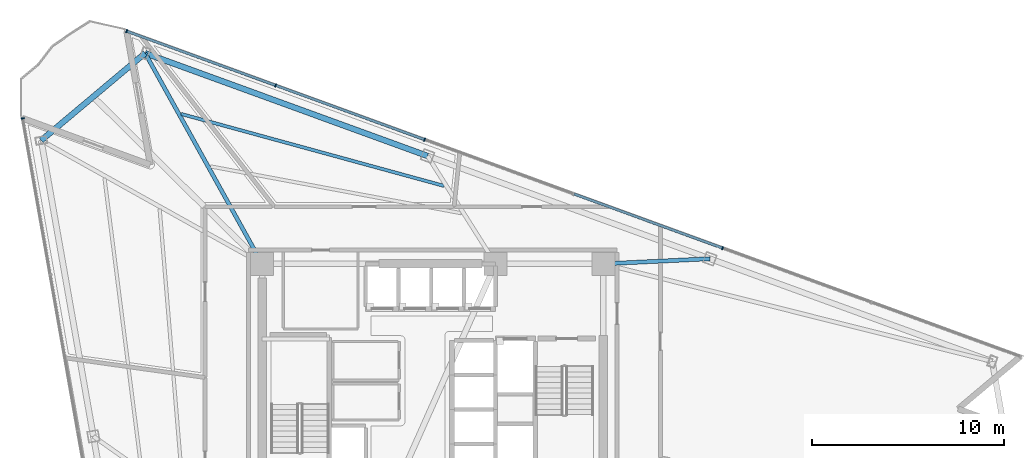
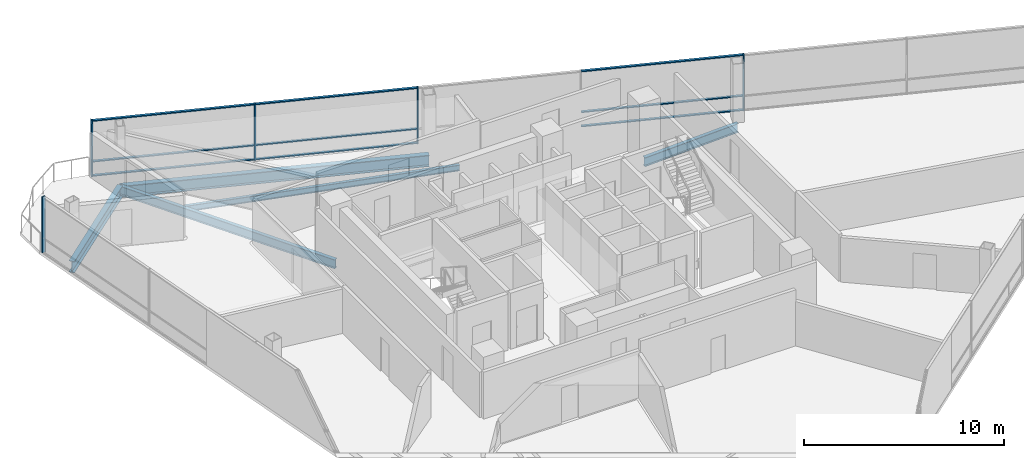
# One storey, part 7 of 16: 14 members, 5 beams, 2 elements without a shape of their own.
"""IFC4 building model written with IfcOpenShell, lengths in metres."""

from ifc_helpers import new_model, si_unit, direction, frame, origin, origin_2d, place, context, subcontext, project, spatial, rectangle, i_section, extrude, material, layer, layer_set, material_profile, profile_set, type_object, element, aggregate, save


model = new_model("IFC4")

# Units and contexts
model_context = context("Model", 3, precision=1e-05, world=origin(), true_north=direction((0.0, 1.0)))
body_context = subcontext(model_context, "Body", "Model", "MODEL_VIEW")
ifc_project = project(units=[si_unit("LENGTHUNIT", "METRE"), si_unit("AREAUNIT", "SQUARE_METRE"), si_unit("VOLUMEUNIT", "CUBIC_METRE"), si_unit("PLANEANGLEUNIT", "RADIAN"), si_unit("MASSUNIT", "GRAM", prefix="KILO")], contexts=[model_context])

# Site, building, storey
site_placement = place(None, origin())
site = spatial("IfcSite", under=ifc_project, at=site_placement, CompositionType="ELEMENT")
building_placement = place(site_placement, origin())
building = spatial("IfcBuilding", under=site, at=building_placement, Name="Tharavind Bronze Gate", CompositionType="ELEMENT")
storey_placement = place(building_placement, frame((0.0, 0.0, 181.300048828125)))
storey = spatial("IfcBuildingStorey", under=building, at=storey_placement, Name="L46", CompositionType="ELEMENT", Elevation=181.300048828125)

# Curtain wall, member
ifc_material_1 = material(Name="Anodised Bronze Aluminium", Category="aluminium")
ifc_layer = layer(ifc_material_1, 0.219970703125)
ifc_layer_set = layer_set([ifc_layer], Name="Anodised Bronze Aluminium")
curtain_wall_type = type_object("IfcCurtainWallType", Name="UNITISED CURTAIN WALL MID OFFICE", PredefinedType="USERDEFINED", material=ifc_layer_set)
curtain_wall_1_placement = place(storey_placement, origin())
curtain_wall_1 = element("IfcCurtainWall", 1, at=curtain_wall_1_placement, inside=storey, type_object=curtain_wall_type, Name="L46 unitised curtain wall mid office CW-L46-S1", ObjectType="UNITISED CURTAIN WALL", PredefinedType="USERDEFINED")
member_type_1 = type_object("IfcMemberType", Name="CURTAIN WALL BRONZE MULLION 65X180", PredefinedType="MULLION", material=ifc_material_1)
member_1_placement = place(storey_placement, frame((-21.396728515625, 15.1923828125, 0.0), z_axis=(0.0, 0.0, 1.0), x_axis=(0.173648177667, -0.984807753012, 0.0)))
member_1 = element("IfcMember", 2, at=member_1_placement, type_object=member_type_1, Name="CW-L46-S1 mullion 1", PredefinedType="MULLION", context=body_context, shape_type="SweptSolid", body=[
    extrude(rectangle(XDim=0.06494140625, YDim=0.179931640625, at=origin_2d()), origin(), (0.0, 0.0, 1.0), 3.419921875),
])
aggregate(curtain_wall_1, [member_1])

# Curtain wall, members
curtain_wall_2_placement = place(storey_placement, origin())
curtain_wall_2 = element("IfcCurtainWall", 3, at=curtain_wall_2_placement, inside=storey, type_object=curtain_wall_type, Name="L46 unitised curtain wall mid office CW-L46-S3", ObjectType="UNITISED CURTAIN WALL", PredefinedType="USERDEFINED")
member_2_placement = place(storey_placement, frame((15.12451171875, 8.424560546875, 0.0), z_axis=(0.0, 0.0, 1.0), x_axis=(-0.939692023847, 0.342021783398, 0.0)))
member_2 = element("IfcMember", 4, at=member_2_placement, type_object=member_type_1, Name="CW-L46-S3 mullion 3", PredefinedType="MULLION", context=body_context, shape_type="SweptSolid", body=[
    extrude(rectangle(XDim=0.06494140625, YDim=0.179931640625, at=origin_2d()), origin(), (0.0, 0.0, 1.0), 3.419921875),
])
member_3_placement = place(storey_placement, frame((-0.42431640625, 14.083984375, 0.0), z_axis=(0.0, 0.0, 1.0), x_axis=(-0.939692023847, 0.342021783398, 0.0)))
member_3 = element("IfcMember", 5, at=member_3_placement, type_object=member_type_1, Name="CW-L46-S3 mullion 5", PredefinedType="MULLION", context=body_context, shape_type="SweptSolid", body=[
    extrude(rectangle(XDim=0.06494140625, YDim=0.179931640625, at=origin_2d()), origin(), (0.0, 0.0, 1.0), 3.419921875),
])
member_4_placement = place(storey_placement, frame((-8.19873046875, 16.91357421875, 0.0), z_axis=(0.0, 0.0, 1.0), x_axis=(-0.939692023847, 0.342021783398, 0.0)))
member_4 = element("IfcMember", 6, at=member_4_placement, type_object=member_type_1, Name="CW-L46-S3 mullion 6", PredefinedType="MULLION", context=body_context, shape_type="SweptSolid", body=[
    extrude(rectangle(XDim=0.06494140625, YDim=0.179931640625, at=origin_2d()), origin(), (0.0, 0.0, 1.0), 3.419921875),
])
member_5_placement = place(storey_placement, frame((-15.97314453125, 19.743408203125, 0.0), z_axis=(0.0, 0.0, 1.0), x_axis=(-0.939692023847, 0.342021783398, 0.0)))
member_5 = element("IfcMember", 7, at=member_5_placement, type_object=member_type_1, Name="CW-L46-S3 mullion 7", PredefinedType="MULLION", context=body_context, shape_type="SweptSolid", body=[
    extrude(rectangle(XDim=0.06494140625, YDim=0.179931640625, at=origin_2d()), origin(), (0.0, 0.0, 1.0), 3.419921875),
])
member_type_2 = type_object("IfcMemberType", Name="CURTAIN WALL BRONZE TRANSOM 65X140", PredefinedType="USERDEFINED", material=ifc_material_1)
member_6_placement = place(storey_placement, frame((11.2373046875, 9.839599609375, 0.0), z_axis=(0.0, 0.0, 1.0), x_axis=(-0.939692023847, 0.342021783398, 0.0)))
member_6 = element("IfcMember", 8, at=member_6_placement, type_object=member_type_2, Name="CW-L46-S3 transom TB3", ObjectType="TRANSOM", PredefinedType="USERDEFINED", context=body_context, shape_type="SweptSolid", body=[
    extrude(rectangle(XDim=8.220458984375, YDim=0.139892578125, at=origin_2d()), origin(), (0.0, 0.0, 1.0), 0.06494140625),
])
member_7_placement = place(storey_placement, frame((11.2373046875, 9.839599609375, 0.867431640625), z_axis=(0.0, 0.0, 1.0), x_axis=(-0.939692023847, 0.342021783398, 0.0)))
member_7 = element("IfcMember", 9, at=member_7_placement, type_object=member_type_2, Name="CW-L46-S3 transom TS3", ObjectType="TRANSOM", PredefinedType="USERDEFINED", context=body_context, shape_type="SweptSolid", body=[
    extrude(rectangle(XDim=8.220458984375, YDim=0.139892578125, at=origin_2d()), origin(), (0.0, 0.0, 1.0), 0.06494140625),
])
member_8_placement = place(storey_placement, frame((11.2373046875, 9.839599609375, 3.35498046875), z_axis=(0.0, 0.0, 1.0), x_axis=(-0.939692023847, 0.342021783398, 0.0)))
member_8 = element("IfcMember", 10, at=member_8_placement, type_object=member_type_2, Name="CW-L46-S3 transom TT3", ObjectType="TRANSOM", PredefinedType="USERDEFINED", context=body_context, shape_type="SweptSolid", body=[
    extrude(rectangle(XDim=8.220458984375, YDim=0.139892578125, at=origin_2d()), origin(), (0.0, 0.0, 1.0), 0.06494140625),
])
member_9_placement = place(storey_placement, frame((-4.3115234375, 15.498779296875, 0.0), z_axis=(0.0, 0.0, 1.0), x_axis=(-0.939692023847, 0.342021783398, 0.0)))
member_9 = element("IfcMember", 11, at=member_9_placement, type_object=member_type_2, Name="CW-L46-S3 transom TB5", ObjectType="TRANSOM", PredefinedType="USERDEFINED", context=body_context, shape_type="SweptSolid", body=[
    extrude(rectangle(XDim=8.220458984375, YDim=0.139892578125, at=origin_2d()), origin(), (0.0, 0.0, 1.0), 0.06494140625),
])
member_10_placement = place(storey_placement, frame((-4.3115234375, 15.498779296875, 0.867431640625), z_axis=(0.0, 0.0, 1.0), x_axis=(-0.939692023847, 0.342021783398, 0.0)))
member_10 = element("IfcMember", 12, at=member_10_placement, type_object=member_type_2, Name="CW-L46-S3 transom TS5", ObjectType="TRANSOM", PredefinedType="USERDEFINED", context=body_context, shape_type="SweptSolid", body=[
    extrude(rectangle(XDim=8.220458984375, YDim=0.139892578125, at=origin_2d()), origin(), (0.0, 0.0, 1.0), 0.06494140625),
])
member_11_placement = place(storey_placement, frame((-4.3115234375, 15.498779296875, 3.35498046875), z_axis=(0.0, 0.0, 1.0), x_axis=(-0.939692023847, 0.342021783398, 0.0)))
member_11 = element("IfcMember", 13, at=member_11_placement, type_object=member_type_2, Name="CW-L46-S3 transom TT5", ObjectType="TRANSOM", PredefinedType="USERDEFINED", context=body_context, shape_type="SweptSolid", body=[
    extrude(rectangle(XDim=8.220458984375, YDim=0.139892578125, at=origin_2d()), origin(), (0.0, 0.0, 1.0), 0.06494140625),
])
member_12_placement = place(storey_placement, frame((-12.0859375, 18.32861328125, 0.0), z_axis=(0.0, 0.0, 1.0), x_axis=(-0.939692023847, 0.342021783398, 0.0)))
member_12 = element("IfcMember", 14, at=member_12_placement, type_object=member_type_2, Name="CW-L46-S3 transom TB6", ObjectType="TRANSOM", PredefinedType="USERDEFINED", context=body_context, shape_type="SweptSolid", body=[
    extrude(rectangle(XDim=8.220458984375, YDim=0.139892578125, at=origin_2d()), origin(), (0.0, 0.0, 1.0), 0.06494140625),
])
member_13_placement = place(storey_placement, frame((-12.0859375, 18.32861328125, 0.867431640625), z_axis=(0.0, 0.0, 1.0), x_axis=(-0.939692023847, 0.342021783398, 0.0)))
member_13 = element("IfcMember", 15, at=member_13_placement, type_object=member_type_2, Name="CW-L46-S3 transom TS6", ObjectType="TRANSOM", PredefinedType="USERDEFINED", context=body_context, shape_type="SweptSolid", body=[
    extrude(rectangle(XDim=8.220458984375, YDim=0.139892578125, at=origin_2d()), origin(), (0.0, 0.0, 1.0), 0.06494140625),
])
member_14_placement = place(storey_placement, frame((-12.0859375, 18.32861328125, 3.35498046875), z_axis=(0.0, 0.0, 1.0), x_axis=(-0.939692023847, 0.342021783398, 0.0)))
member_14 = element("IfcMember", 16, at=member_14_placement, type_object=member_type_2, Name="CW-L46-S3 transom TT6", ObjectType="TRANSOM", PredefinedType="USERDEFINED", context=body_context, shape_type="SweptSolid", body=[
    extrude(rectangle(XDim=8.220458984375, YDim=0.139892578125, at=origin_2d()), origin(), (0.0, 0.0, 1.0), 0.06494140625),
])
aggregate(curtain_wall_2, [member_2, member_3, member_4, member_5, member_6, member_7, member_8, member_9, member_10, member_11, member_12, member_13, member_14])

# Beams
ifc_material_2 = material(Name="Steel S355", Category="steel")
ifc_material_profile_1 = material_profile(ifc_material_2, i_section(OverallWidth=0.2099609375, OverallDepth=0.550048828125, WebThickness=0.010986328125, FlangeThickness=0.01708984375, at=origin_2d()), Name="IPE550")
ifc_profile_set_1 = profile_set([ifc_material_profile_1], Name="Steel S355")
beam_type_1 = type_object("IfcBeamType", Name="PRIMARY GIRDER IPE550", PredefinedType="USERDEFINED", material=ifc_profile_set_1)
beam_1_placement = place(storey_placement, frame((14.461181640625, 7.867919921875, -0.455078125), z_axis=(-0.998842397835, -0.048102643243, 0.0), x_axis=(0.048102643243, -0.998842397835, 0.0)))
element("IfcBeam", 17, at=beam_1_placement, inside=storey, type_object=beam_type_1, Name="L46 primary girder ipe550 BM-L46-RAD10", ObjectType="GIRDER", PredefinedType="USERDEFINED", context=body_context, shape_type="SweptSolid", body=[
    extrude(i_section(OverallWidth=0.2099609375, OverallDepth=0.550048828125, WebThickness=0.010986328125, FlangeThickness=0.01708984375, at=origin_2d()), origin(), (0.0, 0.0, 1.0), 5.567626953125),
])
beam_2_placement = place(storey_placement, frame((-15.0087890625, 18.59423828125, -0.455078125), z_axis=(0.485705558329, -0.874122480324, 0.0), x_axis=(0.874122480324, 0.485705558329, 0.0)))
element("IfcBeam", 18, at=beam_2_placement, inside=storey, type_object=beam_type_1, Name="L46 primary girder ipe550 BM-L46-RAD12", ObjectType="GIRDER", PredefinedType="USERDEFINED", context=body_context, shape_type="SweptSolid", body=[
    extrude(i_section(OverallWidth=0.2099609375, OverallDepth=0.550048828125, WebThickness=0.010986328125, FlangeThickness=0.01708984375, at=origin_2d()), origin(), (0.0, 0.0, 1.0), 12.577392578125),
])
ifc_material_profile_2 = material_profile(ifc_material_2, i_section(OverallWidth=0.300048828125, OverallDepth=0.699951171875, WebThickness=0.01708984375, FlangeThickness=0.031982421875, at=origin_2d()), Name="HE700B")
ifc_profile_set_2 = profile_set([ifc_material_profile_2], Name="Steel S355")
beam_type_2 = type_object("IfcBeamType", Name="RING GIRDER HE700B", PredefinedType="USERDEFINED", material=ifc_profile_set_2)
beam_3_placement = place(storey_placement, frame((-0.27392578125, 13.231201171875, -0.530029296875), z_axis=(-0.939692918618, 0.342019325037, 0.0), x_axis=(-0.342019325037, -0.939692918618, 0.0)))
element("IfcBeam", 19, at=beam_3_placement, inside=storey, type_object=beam_type_2, Name="L46 ring girder he700b BM-L46-PRG11", ObjectType="GIRDER", PredefinedType="USERDEFINED", context=body_context, shape_type="SweptSolid", body=[
    extrude(i_section(OverallWidth=0.300048828125, OverallDepth=0.699951171875, WebThickness=0.01708984375, FlangeThickness=0.031982421875, at=origin_2d()), origin(), (0.0, 0.0, 1.0), 15.680419921875),
])
beam_4_placement = place(storey_placement, frame((-15.0087890625, 18.59423828125, -0.530029296875), z_axis=(-0.766051869817, -0.642778758789, 0.0), x_axis=(0.642778758789, -0.766051869817, 0.0)))
element("IfcBeam", 20, at=beam_4_placement, inside=storey, type_object=beam_type_2, Name="L46 ring girder he700b BM-L46-PRG12", ObjectType="GIRDER", PredefinedType="USERDEFINED", context=body_context, shape_type="SweptSolid", body=[
    extrude(i_section(OverallWidth=0.300048828125, OverallDepth=0.699951171875, WebThickness=0.01708984375, FlangeThickness=0.031982421875, at=origin_2d()), origin(), (0.0, 0.0, 1.0), 7.080322265625),
])
ifc_material_profile_3 = material_profile(ifc_material_2, i_section(OverallWidth=0.169921875, OverallDepth=0.360107421875, WebThickness=0.008056640625, FlangeThickness=0.0126953125, at=origin_2d()), Name="IPE360")
ifc_profile_set_3 = profile_set([ifc_material_profile_3], Name="Steel S355")
beam_type_3 = type_object("IfcBeamType", Name="SECONDARY FLOOR JOIST IPE360", PredefinedType="JOIST", material=ifc_profile_set_3)
beam_5_placement = place(storey_placement, frame((0.5849609375, 11.66845703125, -0.360107421875), z_axis=(-0.964511642121, 0.264040323081, 0.0), x_axis=(-0.264040323081, -0.964511642121, 0.0)))
element("IfcBeam", 21, at=beam_5_placement, inside=storey, type_object=beam_type_3, Name="L46 secondary floor joist ipe360 BM-L46-JSTB11", PredefinedType="JOIST", context=body_context, shape_type="SweptSolid", body=[
    extrude(i_section(OverallWidth=0.169921875, OverallDepth=0.360107421875, WebThickness=0.008056640625, FlangeThickness=0.0126953125, at=origin_2d()), origin(), (0.0, 0.0, 1.0), 14.211669921875),
])

save(model, "model.ifc")
